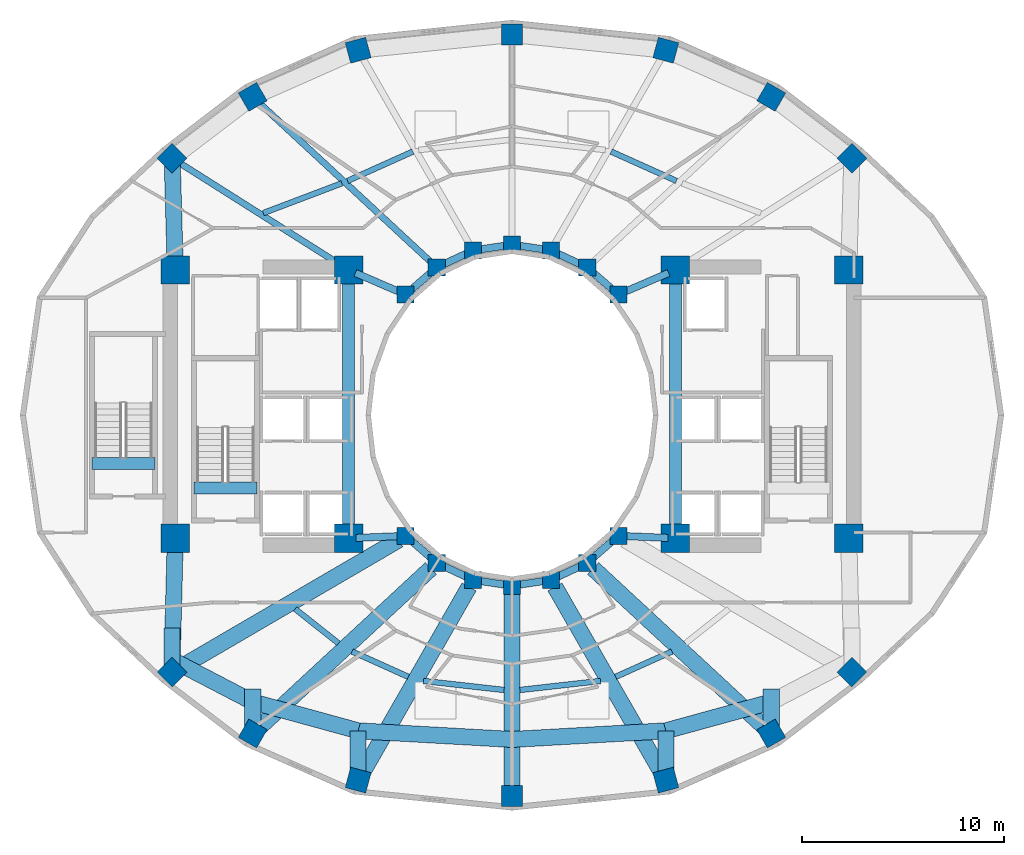
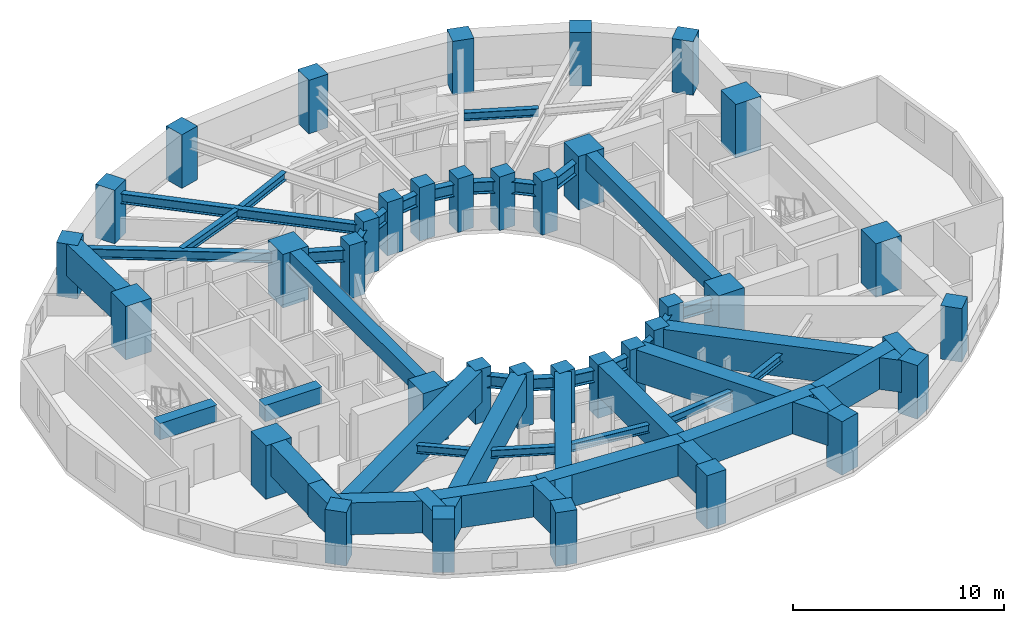
# One storey, part 1 of 9: 48 beams, 36 columns.
"""IFC4 building model written with IfcOpenShell, lengths in metres."""

import ifcopenshell
import ifcopenshell.guid

model = None  # the IFC model being written
_history = None  # IfcOwnerHistory: only IFC2X3 demands one
_inside = {}  # id of a spatial element -> (the spatial element, [elements in it])
_under = {}  # id of a project, library or spatial element -> (it, [spatial elements below it])
_declared = {}  # id of a project -> (the project, [libraries it declares])
_typed = {}  # id of a type object -> (the type object, [elements of that type])
_made_of = {}  # id of a material, layer set ... -> (it, [elements and type objects made of it])


def new_model(schema):
    """Start an empty IFC model of exactly this schema.

    Asked for "IFC4X3", IfcOpenShell would pick the latest addendum, in which some entities
    have other attributes; the version numbers below select the first issue.
    IFC2X3 requires an IfcOwnerHistory on every rooted entity: one is made here for all.
    """
    global model, _history
    if schema == "IFC4X3":
        model = ifcopenshell.file(schema_version=(4, 3, 0, 0))
    else:
        model = ifcopenshell.file(schema=schema)
    _inside.clear()
    _under.clear()
    _declared.clear()
    _typed.clear()
    _made_of.clear()
    _history = None
    if model.schema == "IFC2X3":
        org = make("IfcOrganization", Name="unknown")
        user = make(
            "IfcPersonAndOrganization",
            ThePerson=make("IfcPerson", FamilyName="unknown"),
            TheOrganization=org,
        )
        app = make(
            "IfcApplication",
            ApplicationDeveloper=org,
            Version="unknown",
            ApplicationFullName="unknown",
            ApplicationIdentifier="unknown",
        )
        _history = make(
            "IfcOwnerHistory",
            OwningUser=user,
            OwningApplication=app,
            ChangeAction="ADDED",
            CreationDate=0,
        )
    return model


def make(cls, **values):
    """One entity of the class cls with the attributes given. An attribute that is None is left unset."""
    return model.create_entity(
        cls, **{name: value for name, value in values.items() if value is not None}
    )


def rooted(cls, **values):
    """An entity with a GlobalId (a new one), such as an element, a storey or a relation."""
    return make(cls, GlobalId=ifcopenshell.guid.new(), OwnerHistory=_history, **values)


def si_unit(unit_type, name, prefix=None):
    """IfcSIUnit, for example si_unit("LENGTHUNIT", "METRE", prefix="MILLI")."""
    return make("IfcSIUnit", UnitType=unit_type, Prefix=prefix, Name=name)


def assignment(units):
    """IfcUnitAssignment: the units of a project."""
    return None if units is None else make("IfcUnitAssignment", Units=units)


def point(xyz):
    """IfcCartesianPoint."""
    return None if xyz is None else make("IfcCartesianPoint", Coordinates=xyz)


def direction(xyz):
    """IfcDirection."""
    return None if xyz is None else make("IfcDirection", DirectionRatios=xyz)


def frame(location, z_axis=None, x_axis=None):
    """IfcAxis2Placement3D, a coordinate frame: its origin and axes. An axis left out is left unset."""
    return make(
        "IfcAxis2Placement3D",
        Location=point(location),
        Axis=direction(z_axis),
        RefDirection=direction(x_axis),
    )


def frame_2d(location, x_axis=None):
    """IfcAxis2Placement2D, a coordinate frame in the plane: its origin and x axis."""
    return make(
        "IfcAxis2Placement2D", Location=point(location), RefDirection=direction(x_axis)
    )


def origin():
    """The frame at (0, 0, 0) with its axes left unset."""
    return frame((0.0, 0.0, 0.0))


def origin_2d():
    """The frame at (0, 0) in the plane with its x axis left unset."""
    return frame_2d((0.0, 0.0))


def place(relative_to, where):
    """IfcLocalPlacement: puts the frame where relative to a parent placement (None: the world)."""
    return make(
        "IfcLocalPlacement", PlacementRelTo=relative_to, RelativePlacement=where
    )


def context(
    kind, dimensions, precision=None, world=None, true_north=None, identifier=None
):
    """IfcGeometricRepresentationContext, for example the 3D "Model" context."""
    return make(
        "IfcGeometricRepresentationContext",
        ContextIdentifier=identifier,
        ContextType=kind,
        CoordinateSpaceDimension=dimensions,
        Precision=precision,
        WorldCoordinateSystem=world,
        TrueNorth=true_north,
    )


def subcontext(parent, identifier, kind, view, scale=None):
    """IfcGeometricRepresentationSubContext, for example "Body" below "Model"."""
    return make(
        "IfcGeometricRepresentationSubContext",
        ContextIdentifier=identifier,
        ContextType=kind,
        ParentContext=parent,
        TargetScale=scale,
        TargetView=view,
    )


def project(units=None, contexts=None):
    """IfcProject with its units and contexts."""
    return rooted(
        "IfcProject",
        Name="project",
        RepresentationContexts=contexts,
        UnitsInContext=assignment(units),
    )


def spatial(cls, under=None, at=None, **own):
    """A site, building, storey or space (cls), placed at a placement, below another one or the project."""
    s = rooted(cls, ObjectPlacement=at, **own)
    if under is not None:
        _under.setdefault(under.id(), (under, []))[1].append(s)
    return s


def profile(cls, at=None, kind="AREA", **sizes):
    """A parametric profile (cls). Its sizes go by their IFC names, for example OverallWidth=200.0."""
    return make(cls, ProfileType=kind, Position=at, **sizes)


def rectangle(**sizes):
    """IfcRectangleProfileDef."""
    return profile("IfcRectangleProfileDef", **sizes)


def i_section(**sizes):
    """IfcIShapeProfileDef."""
    return profile("IfcIShapeProfileDef", **sizes)


def extrude(swept, where, along, depth):
    """IfcExtrudedAreaSolid: the profile swept, set in the frame where, extruded along a direction by depth."""
    return make(
        "IfcExtrudedAreaSolid",
        SweptArea=swept,
        Position=where,
        ExtrudedDirection=direction(along),
        Depth=depth,
    )


def shape(context_of_items, identifier, shape_type, items):
    """IfcShapeRepresentation: the items that make up one representation, for example the "Body"."""
    return make(
        "IfcShapeRepresentation",
        ContextOfItems=context_of_items,
        RepresentationIdentifier=identifier,
        RepresentationType=shape_type,
        Items=items,
    )


def material(Name=None, Category=None):
    """IfcMaterial."""
    return make("IfcMaterial", Name=Name, Category=Category)


def material_profile(
    of_material, cross_section, Name=None, Category=None, Priority=None
):
    """IfcMaterialProfile: a cross section and its material."""
    return make(
        "IfcMaterialProfile",
        Name=Name,
        Material=of_material,
        Profile=cross_section,
        Priority=Priority,
        Category=Category,
    )


def profile_set(profiles, Name=None, composite=None):
    """IfcMaterialProfileSet."""
    return make(
        "IfcMaterialProfileSet",
        Name=Name,
        MaterialProfiles=profiles,
        CompositeProfile=composite,
    )


def made_of(thing, what):
    """Note that an element or type object is made of a material, layer set ...; save() writes the relation."""
    if what is not None:
        _made_of.setdefault(what.id(), (what, []))[1].append(thing)
    return thing


def type_object(cls, material=None, **own):
    """A type object (cls), such as IfcWallType, which elements share."""
    return made_of(rooted(cls, **own), material)


def element(
    cls,
    number,
    at=None,
    inside=None,
    cuts=None,
    type_object=None,
    material=None,
    context=None,
    identifier="Body",
    shape_type=None,
    held_by="IfcProductDefinitionShape",
    body=None,
    shapes=None,
    **own,
):
    """One element of the class cls, such as IfcWall. Its Tag is "e" and its number.

    at: its placement. inside: the storey or other place that contains it. cuts: it is an
    opening in that element (IfcRelVoidsElement). A single representation is given by context,
    identifier, shape_type and body (its items); several are given by shapes. held_by: the class
    of the entity that holds the representations. save() writes the other relations.
    """
    e = rooted(cls, Tag="e%d" % number, ObjectPlacement=at, **own)
    if body is not None:
        shapes = [shape(context, identifier, shape_type, body)]
    if shapes is not None:
        e.Representation = make(held_by, Representations=shapes)
    if inside is not None:
        _inside.setdefault(inside.id(), (inside, []))[1].append(e)
    if cuts is not None:
        rooted(
            "IfcRelVoidsElement", RelatingBuildingElement=cuts, RelatedOpeningElement=e
        )
    if type_object is not None:
        _typed.setdefault(type_object.id(), (type_object, []))[1].append(e)
    return made_of(e, material)


def aggregate(whole, parts):
    """IfcRelAggregates: a whole, such as a stair, and the parts it consists of."""
    return rooted("IfcRelAggregates", RelatingObject=whole, RelatedObjects=parts)


def save(model, path):
    """Write the relations noted so far, then the file.

    IfcRelAggregates (storeys below a building ...), IfcRelContainedInSpatialStructure (elements
    in a storey), IfcRelDefinesByType, IfcRelAssociatesMaterial and IfcRelDeclares: one each for
    every whole, place, type object, material and project.
    """
    for whole, parts in _under.values():
        aggregate(whole, parts)
    for where, things in _inside.values():
        rooted(
            "IfcRelContainedInSpatialStructure",
            RelatedElements=things,
            RelatingStructure=where,
        )
    for kind, things in _typed.values():
        rooted("IfcRelDefinesByType", RelatedObjects=things, RelatingType=kind)
    for what, things in _made_of.values():
        rooted("IfcRelAssociatesMaterial", RelatedObjects=things, RelatingMaterial=what)
    for by, libraries in _declared.values():
        rooted("IfcRelDeclares", RelatingContext=by, RelatedDefinitions=libraries)
    model.write(path)


model = new_model("IFC4")

# Units and contexts
model_context = context("Model", 3, precision=1e-05, world=origin(), true_north=direction((0.0, 1.0)))
body_context = subcontext(model_context, "Body", "Model", "MODEL_VIEW")
ifc_project = project(units=[si_unit("LENGTHUNIT", "METRE"), si_unit("AREAUNIT", "SQUARE_METRE"), si_unit("VOLUMEUNIT", "CUBIC_METRE"), si_unit("PLANEANGLEUNIT", "RADIAN"), si_unit("MASSUNIT", "GRAM", prefix="KILO")], contexts=[model_context])

# Site, building, storey
site_placement = place(None, origin())
site = spatial("IfcSite", under=ifc_project, at=site_placement, CompositionType="ELEMENT")
building_placement = place(site_placement, origin())
building = spatial("IfcBuilding", under=site, at=building_placement, Name="Solvane Sanctuary Tower", CompositionType="ELEMENT")
storey_placement = place(building_placement, frame((0.0, 0.0, 110.39990234375)))
storey = spatial("IfcBuildingStorey", under=building, at=storey_placement, Name="L33", CompositionType="ELEMENT", Elevation=110.39990234375)

# Columns
ifc_material_1 = material(Name="Concrete C70/85", Category="concrete")
ifc_material_profile_1 = material_profile(ifc_material_1, rectangle(XDim=1.39990234375, YDim=1.39990234375, at=origin_2d()), Name="RC1400X1400")
ifc_profile_set_1 = profile_set([ifc_material_profile_1], Name="Concrete C70/85")
column_type_1 = type_object("IfcColumnType", Name="Column C-POD-INT RC1400X1400", PredefinedType="COLUMN", material=ifc_profile_set_1)
for number, where, z_axis, x_axis, name in (
    (1, (15.300048828125, 16.89990234375, 0.0), (0.0, 0.0, 1.0), (1.0, 0.0, 0.0), "L33 Core Corner Column CW1"),
    (2, (23.89990234375, 16.89990234375, 0.0), (0.0, 0.0, 1.0), (1.0, 0.0, 0.0), "L33 Core Corner Column CW2"),
    (3, (23.89990234375, 30.199951171875, 0.0), (0.0, 0.0, 1.0), (1.0, 0.0, 0.0), "L33 Core Corner Column CW3"),
    (4, (15.300048828125, 30.199951171875, 0.0), (0.0, 0.0, 1.0), (1.0, 0.0, 0.0), "L33 Core Corner Column CW4"),
    (5, (40.10009765625, 16.89990234375, 0.0), (0.0, 0.0, 1.0), (1.0, 0.0, 0.0), "L33 Core Corner Column CE1"),
    (6, (48.699951171875, 16.89990234375, 0.0), (0.0, 0.0, 1.0), (1.0, 0.0, 0.0), "L33 Core Corner Column CE2"),
    (7, (48.699951171875, 30.199951171875, 0.0), (0.0, 0.0, 1.0), (1.0, 0.0, 0.0), "L33 Core Corner Column CE3"),
    (8, (40.10009765625, 30.199951171875, 0.0), (0.0, 0.0, 1.0), (1.0, 0.0, 0.0), "L33 Core Corner Column CE4"),
):
    element("IfcColumn", number, at=place(storey_placement, frame(where, z_axis=z_axis, x_axis=x_axis)), inside=storey, type_object=column_type_1, Name=name, PredefinedType="COLUMN", context=body_context, shape_type="SweptSolid", body=[
        extrude(rectangle(XDim=1.39990234375, YDim=1.39990234375, at=origin_2d()), origin(), (0.0, 0.0, 1.0), 3.10009765625),
    ])
ifc_material_2 = material(Name="Concrete C60/75", Category="concrete")
ifc_material_profile_2 = material_profile(ifc_material_2, rectangle(XDim=0.85009765625, YDim=0.85009765625, at=origin_2d()), Name="RC850X850")
ifc_profile_set_2 = profile_set([ifc_material_profile_2], Name="Concrete C60/75")
column_type_2 = type_object("IfcColumnType", Name="Column C-RING-Z2 RC850X850", PredefinedType="COLUMN", material=ifc_profile_set_2)
for number, where, z_axis, x_axis, name in (
    (9, (37.27490234375, 28.982177734375, 0.0), (0.0, 0.0, 1.0), (1.0, 0.0, 0.0), "L33 Inner Light-Well Ring Column IC01"),
    (10, (35.72998046875, 30.32666015625, 0.0), (0.0, 0.0, 1.0), (1.0, 0.0, 0.0), "L33 Inner Light-Well Ring Column IC02"),
    (11, (33.930908203125, 31.171630859375, 0.0), (0.0, 0.0, 1.0), (1.0, 0.0, 0.0), "L33 Inner Light-Well Ring Column IC03"),
    (12, (32.0, 31.4599609375, 0.0), (0.0, 0.0, 1.0), (1.0, 0.0, 0.0), "L33 Inner Light-Well Ring Column IC04"),
    (13, (30.069091796875, 31.171630859375, 0.0), (0.0, 0.0, 1.0), (1.0, 0.0, 0.0), "L33 Inner Light-Well Ring Column IC05"),
    (14, (28.27001953125, 30.32666015625, 0.0), (0.0, 0.0, 1.0), (1.0, 0.0, 0.0), "L33 Inner Light-Well Ring Column IC06"),
    (15, (26.72509765625, 28.982177734375, 0.0), (0.0, 0.0, 1.0), (1.0, 0.0, 0.0), "L33 Inner Light-Well Ring Column IC07"),
    (16, (26.72509765625, 17.017822265625, 0.0), (0.0, 0.0, 1.0), (1.0, 0.0, 0.0), "L33 Inner Light-Well Ring Column IC08"),
    (17, (28.27001953125, 15.67333984375, 0.0), (0.0, 0.0, 1.0), (1.0, 0.0, 0.0), "L33 Inner Light-Well Ring Column IC09"),
    (18, (30.069091796875, 14.828369140625, 0.0), (0.0, 0.0, 1.0), (1.0, 0.0, 0.0), "L33 Inner Light-Well Ring Column IC10"),
    (19, (32.0, 14.5400390625, 0.0), (0.0, 0.0, 1.0), (1.0, 0.0, 0.0), "L33 Inner Light-Well Ring Column IC11"),
    (20, (33.930908203125, 14.828369140625, 0.0), (0.0, 0.0, 1.0), (1.0, 0.0, 0.0), "L33 Inner Light-Well Ring Column IC12"),
    (21, (35.72998046875, 15.67333984375, 0.0), (0.0, 0.0, 1.0), (1.0, 0.0, 0.0), "L33 Inner Light-Well Ring Column IC13"),
    (22, (37.27490234375, 17.017822265625, 0.0), (0.0, 0.0, 1.0), (1.0, 0.0, 0.0), "L33 Inner Light-Well Ring Column IC14"),
):
    element("IfcColumn", number, at=place(storey_placement, frame(where, z_axis=z_axis, x_axis=x_axis)), inside=storey, type_object=column_type_2, Name=name, PredefinedType="COLUMN", context=body_context, shape_type="SweptSolid", body=[
        extrude(rectangle(XDim=0.85009765625, YDim=0.85009765625, at=origin_2d()), origin(), (0.0, 0.0, 1.0), 3.10009765625),
    ])
ifc_material_profile_3 = material_profile(ifc_material_2, rectangle(XDim=1.050048828125, YDim=1.050048828125, at=origin_2d()), Name="RC1050X1050")
ifc_profile_set_3 = profile_set([ifc_material_profile_3], Name="Concrete C60/75")
column_type_3 = type_object("IfcColumnType", Name="Column C-TUBE-Z2 RC1050X1050", PredefinedType="COLUMN", material=ifc_profile_set_3)
for number, where, z_axis, x_axis, name in (
    (23, (48.85302734375, 35.742919921875, 0.0), (0.0, 0.0, 1.0), (0.707106781187, 0.707106781187, 0.0), "L33 Perimeter Tube Column TC01"),
    (24, (44.8583984375, 38.7861328125, 0.0), (0.0, 0.0, 1.0), (0.5, 0.866025403784, 0.0), "L33 Perimeter Tube Column TC02"),
    (25, (39.62939453125, 41.10009765625, 0.0), (0.0, 0.0, 1.0), (0.258819045103, 0.965925826289, 0.0), "L33 Perimeter Tube Column TC03"),
    (26, (32.0, 41.8798828125, 0.0), (0.0, 0.0, 1.0), (0.0, 1.0, 0.0), "L33 Perimeter Tube Column TC04"),
    (27, (24.37060546875, 41.10009765625, 0.0), (0.0, 0.0, 1.0), (-0.258819045103, 0.965925826289, 0.0), "L33 Perimeter Tube Column TC05"),
    (28, (19.1416015625, 38.7861328125, 0.0), (0.0, 0.0, 1.0), (-0.5, 0.866025403784, 0.0), "L33 Perimeter Tube Column TC06"),
    (29, (15.14697265625, 35.742919921875, 0.0), (0.0, 0.0, 1.0), (-0.707106781187, 0.707106781187, 0.0), "L33 Perimeter Tube Column TC07"),
    (30, (15.14697265625, 10.257080078125, 0.0), (0.0, 0.0, 1.0), (-0.707106781187, -0.707106781187, 0.0), "L33 Perimeter Tube Column TC08"),
    (31, (19.1416015625, 7.2138671875, 0.0), (0.0, 0.0, 1.0), (-0.5, -0.866025403784, 0.0), "L33 Perimeter Tube Column TC09"),
    (32, (24.37060546875, 4.89990234375, 0.0), (0.0, 0.0, 1.0), (-0.258819045103, -0.965925826289, 0.0), "L33 Perimeter Tube Column TC10"),
    (33, (32.0, 4.1201171875, 0.0), (0.0, 0.0, 1.0), (0.0, -1.0, 0.0), "L33 Perimeter Tube Column TC11"),
    (34, (39.62939453125, 4.89990234375, 0.0), (0.0, 0.0, 1.0), (0.258819045103, -0.965925826289, 0.0), "L33 Perimeter Tube Column TC12"),
    (35, (44.8583984375, 7.2138671875, 0.0), (0.0, 0.0, 1.0), (0.5, -0.866025403784, 0.0), "L33 Perimeter Tube Column TC13"),
    (36, (48.85302734375, 10.257080078125, 0.0), (0.0, 0.0, 1.0), (0.707106781187, -0.707106781187, 0.0), "L33 Perimeter Tube Column TC14"),
):
    element("IfcColumn", number, at=place(storey_placement, frame(where, z_axis=z_axis, x_axis=x_axis)), inside=storey, type_object=column_type_3, Name=name, PredefinedType="COLUMN", context=body_context, shape_type="SweptSolid", body=[
        extrude(rectangle(XDim=1.050048828125, YDim=1.050048828125, at=origin_2d()), origin(), (0.0, 0.0, 1.0), 3.10009765625),
    ])

# Beams
ifc_material_profile_4 = material_profile(ifc_material_1, rectangle(XDim=0.60009765625, YDim=0.949951171875, at=origin_2d()), Name="RC600X950")
ifc_profile_set_4 = profile_set([ifc_material_profile_4], Name="Concrete C70/85")
beam_type_1 = type_object("IfcBeamType", Name="Beam B-COUPLE RC600X950", PredefinedType="LINTEL", material=ifc_profile_set_4)
for number, where, z_axis, x_axis, name in (
    (37, (23.89990234375, 17.35009765625, 2.625), (0.0, 1.0, 0.0), (-1.0, 0.0, 0.0), "L33 West Core Coupling Lintel"),
    (38, (40.10009765625, 17.35009765625, 2.625), (0.0, 1.0, 0.0), (-1.0, 0.0, 0.0), "L33 East Core Coupling Lintel"),
):
    element("IfcBeam", number, at=place(storey_placement, frame(where, z_axis=z_axis, x_axis=x_axis)), inside=storey, type_object=beam_type_1, Name=name, PredefinedType="LINTEL", context=body_context, shape_type="SweptSolid", body=[
        extrude(rectangle(XDim=0.60009765625, YDim=0.949951171875, at=origin_2d()), origin(), (0.0, 0.0, 1.0), 12.39990234375),
    ])
for number, where, z_axis, x_axis, name in (
    (39, (16.22998046875, 19.399169921875, 2.625), (1.0, 0.0, 0.0), (0.0, 1.0, 0.0), "L33 ST-1 Stair Floor Landing Trimmer"),
    (40, (11.169921875, 20.59912109375, 2.625), (1.0, 0.0, 0.0), (0.0, 1.0, 0.0), "L33 ST-3 Stair Floor Landing Trimmer"),
):
    element("IfcBeam", number, at=place(storey_placement, frame(where, z_axis=z_axis, x_axis=x_axis)), inside=storey, type_object=beam_type_1, Name=name, PredefinedType="LINTEL", context=body_context, shape_type="SweptSolid", body=[
        extrude(rectangle(XDim=0.60009765625, YDim=0.949951171875, at=origin_2d()), origin(), (0.0, 0.0, 1.0), 3.1201171875),
    ])
ifc_material_3 = material(Name="Steel ASTM A992 Grade 50", Category="steel")
ifc_material_profile_5 = material_profile(ifc_material_3, i_section(OverallWidth=0.31494140625, OverallDepth=0.575927734375, WebThickness=0.01513671875, FlangeThickness=0.0244140625, FilletRadius=0.014892578125, at=origin_2d()), Name="W21X122")
ifc_profile_set_5 = profile_set([ifc_material_profile_5], Name="Steel ASTM A992 Grade 50")
beam_type_2 = type_object("IfcBeamType", Name="Beam B-RAD-Z2 W21X122", PredefinedType="BEAM", material=ifc_profile_set_5)
beam_1_placement = place(storey_placement, frame((28.064697265625, 30.516845703125, 2.31005859375), z_axis=(-0.733453775248, 0.679739332078, 0.0), x_axis=(-0.679739332078, -0.733453775248, 0.0)))
element("IfcBeam", 41, at=beam_1_placement, inside=storey, type_object=beam_type_2, Name="L33 Radial Composite Floor Beam 06", PredefinedType="BEAM", context=body_context, shape_type="SweptSolid", body=[
    extrude(i_section(OverallWidth=0.31494140625, OverallDepth=0.575927734375, WebThickness=0.01513671875, FlangeThickness=0.0244140625, FilletRadius=0.014892578125, at=origin_2d()), origin(), (0.0, 0.0, 1.0), 11.885498046875),
])
beam_2_placement = place(storey_placement, frame((23.595947265625, 30.392578125, 2.31005859375), z_axis=(-0.844853889678, 0.534997107558, 0.0), x_axis=(-0.534997107558, -0.844853889678, 0.0)))
element("IfcBeam", 42, at=beam_2_placement, inside=storey, type_object=beam_type_2, Name="L33 Radial Composite Floor Beam 07", PredefinedType="BEAM", context=body_context, shape_type="SweptSolid", body=[
    extrude(i_section(OverallWidth=0.31494140625, OverallDepth=0.575927734375, WebThickness=0.01513671875, FlangeThickness=0.0244140625, FilletRadius=0.014892578125, at=origin_2d()), origin(), (0.0, 0.0, 1.0), 9.720458984375),
])
ifc_material_profile_6 = material_profile(ifc_material_3, i_section(OverallWidth=0.35498046875, OverallDepth=0.695068359375, WebThickness=0.015380859375, FlangeThickness=0.02490234375, FilletRadius=0.01806640625, at=origin_2d()), Name="W27X146")
ifc_profile_set_6 = profile_set([ifc_material_profile_6], Name="Steel ASTM A992 Grade 50")
beam_type_3 = type_object("IfcBeamType", Name="Beam B-RING-IN1 W27X146", PredefinedType="BEAM", material=ifc_profile_set_6)
beam_3_placement = place(storey_placement, frame((24.230712890625, 30.0576171875, 2.25048828125), z_axis=(0.918261456479, -0.3959746173, 0.0), x_axis=(0.3959746173, 0.918261456479, 0.0)))
element("IfcBeam", 43, at=beam_3_placement, inside=storey, type_object=beam_type_3, Name="L33 Inner Light-Well Ring Beam CW3-IC07", PredefinedType="BEAM", context=body_context, shape_type="SweptSolid", body=[
    extrude(i_section(OverallWidth=0.35498046875, OverallDepth=0.695068359375, WebThickness=0.015380859375, FlangeThickness=0.02490234375, FilletRadius=0.01806640625, at=origin_2d()), origin(), (0.0, 0.0, 1.0), 2.3212890625),
])
beam_4_placement = place(storey_placement, frame((27.02294921875, 29.241455078125, 2.25048828125), z_axis=(0.754317177099, 0.656510164684, 0.0), x_axis=(-0.656510164684, 0.754317177099, 0.0)))
element("IfcBeam", 44, at=beam_4_placement, inside=storey, type_object=beam_type_3, Name="L33 Inner Light-Well Ring Beam IC07-IC06", PredefinedType="BEAM", context=body_context, shape_type="SweptSolid", body=[
    extrude(i_section(OverallWidth=0.35498046875, OverallDepth=0.695068359375, WebThickness=0.015380859375, FlangeThickness=0.02490234375, FilletRadius=0.01806640625, at=origin_2d()), origin(), (0.0, 0.0, 1.0), 1.258056640625),
])
beam_5_placement = place(storey_placement, frame((28.62744140625, 30.494384765625, 2.25048828125), z_axis=(0.905044882818, 0.425316070804, 0.0), x_axis=(-0.425316070804, 0.905044882818, 0.0)))
element("IfcBeam", 45, at=beam_5_placement, inside=storey, type_object=beam_type_3, Name="L33 Inner Light-Well Ring Beam IC06-IC05", PredefinedType="BEAM", context=body_context, shape_type="SweptSolid", body=[
    extrude(i_section(OverallWidth=0.35498046875, OverallDepth=0.695068359375, WebThickness=0.015380859375, FlangeThickness=0.02490234375, FilletRadius=0.01806640625, at=origin_2d()), origin(), (0.0, 0.0, 1.0), 1.197998046875),
])
for number, where, z_axis, x_axis, name in (
    (46, (30.4599609375, 31.22998046875, 2.25048828125), (0.989034751611, 0.147682971619, 0.0), (-0.147682971619, 0.989034751611, 0.0), "L33 Inner Light-Well Ring Beam IC05-IC04"),
    (47, (32.390625, 31.401611328125, 2.25048828125), (0.989034751611, -0.147682971619, 0.0), (0.147682971619, 0.989034751611, 0.0), "L33 Inner Light-Well Ring Beam IC04-IC03"),
):
    element("IfcBeam", number, at=place(storey_placement, frame(where, z_axis=z_axis, x_axis=x_axis)), inside=storey, type_object=beam_type_3, Name=name, PredefinedType="BEAM", context=body_context, shape_type="SweptSolid", body=[
        extrude(i_section(OverallWidth=0.35498046875, OverallDepth=0.695068359375, WebThickness=0.015380859375, FlangeThickness=0.02490234375, FilletRadius=0.01806640625, at=origin_2d()), origin(), (0.0, 0.0, 1.0), 1.162109375),
    ])
beam_6_placement = place(storey_placement, frame((34.288330078125, 31.00390625, 2.25048828125), z_axis=(0.905044882818, -0.425316070804, 0.0), x_axis=(0.425316070804, 0.905044882818, 0.0)))
element("IfcBeam", 48, at=beam_6_placement, inside=storey, type_object=beam_type_3, Name="L33 Inner Light-Well Ring Beam IC03-IC02", PredefinedType="BEAM", context=body_context, shape_type="SweptSolid", body=[
    extrude(i_section(OverallWidth=0.35498046875, OverallDepth=0.695068359375, WebThickness=0.015380859375, FlangeThickness=0.02490234375, FilletRadius=0.01806640625, at=origin_2d()), origin(), (0.0, 0.0, 1.0), 1.197998046875),
])
beam_7_placement = place(storey_placement, frame((36.028076171875, 30.0673828125, 2.25048828125), z_axis=(0.754317177099, -0.656510164684, 0.0), x_axis=(0.656510164684, 0.754317177099, 0.0)))
element("IfcBeam", 49, at=beam_7_placement, inside=storey, type_object=beam_type_3, Name="L33 Inner Light-Well Ring Beam IC02-IC01", PredefinedType="BEAM", context=body_context, shape_type="SweptSolid", body=[
    extrude(i_section(OverallWidth=0.35498046875, OverallDepth=0.695068359375, WebThickness=0.015380859375, FlangeThickness=0.02490234375, FilletRadius=0.01806640625, at=origin_2d()), origin(), (0.0, 0.0, 1.0), 1.258056640625),
])
beam_8_placement = place(storey_placement, frame((37.6376953125, 29.138427734375, 2.25048828125), z_axis=(0.918261456479, 0.3959746173, 0.0), x_axis=(-0.3959746173, 0.918261456479, 0.0)))
element("IfcBeam", 50, at=beam_8_placement, inside=storey, type_object=beam_type_3, Name="L33 Inner Light-Well Ring Beam IC01-CE4", PredefinedType="BEAM", context=body_context, shape_type="SweptSolid", body=[
    extrude(i_section(OverallWidth=0.35498046875, OverallDepth=0.695068359375, WebThickness=0.015380859375, FlangeThickness=0.02490234375, FilletRadius=0.01806640625, at=origin_2d()), origin(), (0.0, 0.0, 1.0), 2.3212890625),
])
beam_9_placement = place(storey_placement, frame((24.259765625, 16.9150390625, 2.25048828125), z_axis=(0.999130007788, 0.041704047018, 0.0), x_axis=(-0.041704047018, 0.999130007788, 0.0)))
element("IfcBeam", 51, at=beam_9_placement, inside=storey, type_object=beam_type_3, Name="L33 Inner Light-Well Ring Beam CW2-IC08", PredefinedType="BEAM", context=body_context, shape_type="SweptSolid", body=[
    extrude(i_section(OverallWidth=0.35498046875, OverallDepth=0.695068359375, WebThickness=0.015380859375, FlangeThickness=0.02490234375, FilletRadius=0.01806640625, at=origin_2d()), origin(), (0.0, 0.0, 1.0), 2.072265625),
])
beam_10_placement = place(storey_placement, frame((27.02294921875, 16.758544921875, 2.25048828125), z_axis=(0.754317177099, -0.656510164684, 0.0), x_axis=(0.656510164684, 0.754317177099, 0.0)))
element("IfcBeam", 52, at=beam_10_placement, inside=storey, type_object=beam_type_3, Name="L33 Inner Light-Well Ring Beam IC08-IC09", PredefinedType="BEAM", context=body_context, shape_type="SweptSolid", body=[
    extrude(i_section(OverallWidth=0.35498046875, OverallDepth=0.695068359375, WebThickness=0.015380859375, FlangeThickness=0.02490234375, FilletRadius=0.01806640625, at=origin_2d()), origin(), (0.0, 0.0, 1.0), 1.258056640625),
])
beam_11_placement = place(storey_placement, frame((28.62744140625, 15.505615234375, 2.25048828125), z_axis=(0.905044882818, -0.425316070804, 0.0), x_axis=(0.425316070804, 0.905044882818, 0.0)))
element("IfcBeam", 53, at=beam_11_placement, inside=storey, type_object=beam_type_3, Name="L33 Inner Light-Well Ring Beam IC09-IC10", PredefinedType="BEAM", context=body_context, shape_type="SweptSolid", body=[
    extrude(i_section(OverallWidth=0.35498046875, OverallDepth=0.695068359375, WebThickness=0.015380859375, FlangeThickness=0.02490234375, FilletRadius=0.01806640625, at=origin_2d()), origin(), (0.0, 0.0, 1.0), 1.197998046875),
])
for number, where, z_axis, x_axis, name in (
    (54, (30.4599609375, 14.77001953125, 2.25048828125), (0.989034751611, -0.147682971619, 0.0), (0.147682971619, 0.989034751611, 0.0), "L33 Inner Light-Well Ring Beam IC10-IC11"),
    (55, (32.390625, 14.598388671875, 2.25048828125), (0.989034751611, 0.147682971619, 0.0), (-0.147682971619, 0.989034751611, 0.0), "L33 Inner Light-Well Ring Beam IC11-IC12"),
):
    element("IfcBeam", number, at=place(storey_placement, frame(where, z_axis=z_axis, x_axis=x_axis)), inside=storey, type_object=beam_type_3, Name=name, PredefinedType="BEAM", context=body_context, shape_type="SweptSolid", body=[
        extrude(i_section(OverallWidth=0.35498046875, OverallDepth=0.695068359375, WebThickness=0.015380859375, FlangeThickness=0.02490234375, FilletRadius=0.01806640625, at=origin_2d()), origin(), (0.0, 0.0, 1.0), 1.162109375),
    ])
beam_12_placement = place(storey_placement, frame((34.288330078125, 14.99609375, 2.25048828125), z_axis=(0.905044882818, 0.425316070804, 0.0), x_axis=(-0.425316070804, 0.905044882818, 0.0)))
element("IfcBeam", 56, at=beam_12_placement, inside=storey, type_object=beam_type_3, Name="L33 Inner Light-Well Ring Beam IC12-IC13", PredefinedType="BEAM", context=body_context, shape_type="SweptSolid", body=[
    extrude(i_section(OverallWidth=0.35498046875, OverallDepth=0.695068359375, WebThickness=0.015380859375, FlangeThickness=0.02490234375, FilletRadius=0.01806640625, at=origin_2d()), origin(), (0.0, 0.0, 1.0), 1.197998046875),
])
beam_13_placement = place(storey_placement, frame((36.028076171875, 15.9326171875, 2.25048828125), z_axis=(0.754317177099, 0.656510164684, 0.0), x_axis=(-0.656510164684, 0.754317177099, 0.0)))
element("IfcBeam", 57, at=beam_13_placement, inside=storey, type_object=beam_type_3, Name="L33 Inner Light-Well Ring Beam IC13-IC14", PredefinedType="BEAM", context=body_context, shape_type="SweptSolid", body=[
    extrude(i_section(OverallWidth=0.35498046875, OverallDepth=0.695068359375, WebThickness=0.015380859375, FlangeThickness=0.02490234375, FilletRadius=0.01806640625, at=origin_2d()), origin(), (0.0, 0.0, 1.0), 1.258056640625),
])
beam_14_placement = place(storey_placement, frame((37.669677734375, 17.00146484375, 2.25048828125), z_axis=(0.999130007788, -0.041704047018, 0.0), x_axis=(0.041704047018, 0.999130007788, 0.0)))
element("IfcBeam", 58, at=beam_14_placement, inside=storey, type_object=beam_type_3, Name="L33 Inner Light-Well Ring Beam IC14-CE1", PredefinedType="BEAM", context=body_context, shape_type="SweptSolid", body=[
    extrude(i_section(OverallWidth=0.35498046875, OverallDepth=0.695068359375, WebThickness=0.015380859375, FlangeThickness=0.02490234375, FilletRadius=0.01806640625, at=origin_2d()), origin(), (0.0, 0.0, 1.0), 2.072265625),
])
ifc_material_profile_7 = material_profile(ifc_material_3, i_section(OverallWidth=0.280029296875, OverallDepth=0.462890625, WebThickness=0.0107421875, FlangeThickness=0.017333984375, FilletRadius=0.013916015625, at=origin_2d()), Name="W18X76")
ifc_profile_set_7 = profile_set([ifc_material_profile_7], Name="Steel ASTM A992 Grade 50")
beam_type_4 = type_object("IfcBeamType", Name="Beam B-SEC-JOIST W18X76", PredefinedType="JOIST", material=ifc_profile_set_7)
beam_15_placement = place(storey_placement, frame((19.666015625, 33.025390625, 2.36669921875), z_axis=(0.93509327646, 0.354401699091, 0.0), x_axis=(-0.354401699091, 0.93509327646, 0.0)))
element("IfcBeam", 59, at=beam_15_placement, inside=storey, type_object=beam_type_4, Name="L33 Secondary Circumferential Joist 07-06", PredefinedType="JOIST", context=body_context, shape_type="SweptSolid", body=[
    extrude(i_section(OverallWidth=0.280029296875, OverallDepth=0.462890625, WebThickness=0.0107421875, FlangeThickness=0.017333984375, FilletRadius=0.013916015625, at=origin_2d()), origin(), (0.0, 0.0, 1.0), 4.167724609375),
])
for number, where, z_axis, x_axis, name in (
    (60, (23.844970703125, 34.618896484375, 2.36669921875), (0.912083673068, 0.410004113787, 0.0), (-0.410004113787, 0.912083673068, 0.0), "L33 Secondary Circumferential Joist 06-05"),
    (61, (36.919189453125, 36.073486328125, 2.36669921875), (0.912083673068, -0.410004113787, 0.0), (0.410004113787, 0.912083673068, 0.0), "L33 Secondary Circumferential Joist 03-02"),
):
    element("IfcBeam", number, at=place(storey_placement, frame(where, z_axis=z_axis, x_axis=x_axis)), inside=storey, type_object=beam_type_4, Name=name, PredefinedType="JOIST", context=body_context, shape_type="SweptSolid", body=[
        extrude(i_section(OverallWidth=0.280029296875, OverallDepth=0.462890625, WebThickness=0.0107421875, FlangeThickness=0.017333984375, FilletRadius=0.013916015625, at=origin_2d()), origin(), (0.0, 0.0, 1.0), 3.5478515625),
    ])
beam_16_placement = place(storey_placement, frame((21.24560546875, 13.392333984375, 2.36669921875), z_axis=(0.783906859924, -0.620878438153, 0.0), x_axis=(0.620878438153, 0.783906859924, 0.0)))
element("IfcBeam", 62, at=beam_16_placement, inside=storey, type_object=beam_type_4, Name="L33 Secondary Circumferential Joist 08-09", PredefinedType="JOIST", context=body_context, shape_type="SweptSolid", body=[
    extrude(i_section(OverallWidth=0.280029296875, OverallDepth=0.462890625, WebThickness=0.0107421875, FlangeThickness=0.017333984375, FilletRadius=0.013916015625, at=origin_2d()), origin(), (0.0, 0.0, 1.0), 2.743408203125),
])
beam_17_placement = place(storey_placement, frame((24.066162109375, 11.28173828125, 2.36669921875), z_axis=(0.912097423757, -0.409973523019, 0.0), x_axis=(0.409973523019, 0.912097423757, 0.0)))
element("IfcBeam", 63, at=beam_17_placement, inside=storey, type_object=beam_type_4, Name="L33 Secondary Circumferential Joist 09-10", PredefinedType="JOIST", context=body_context, shape_type="SweptSolid", body=[
    extrude(i_section(OverallWidth=0.280029296875, OverallDepth=0.462890625, WebThickness=0.0107421875, FlangeThickness=0.017333984375, FilletRadius=0.013916015625, at=origin_2d()), origin(), (0.0, 0.0, 1.0), 3.062744140625),
])
for number, where, z_axis, x_axis, name in (
    (64, (27.612548828125, 9.8203125, 2.36669921875), (0.993810933944, -0.111084776519, 0.0), (0.111084776519, 0.993810933944, 0.0), "L33 Secondary Circumferential Joist 10-11"),
    (65, (32.392578125, 9.373779296875, 2.36669921875), (0.993810933944, 0.111084776519, 0.0), (-0.111084776519, 0.993810933944, 0.0), "L33 Secondary Circumferential Joist 11-12"),
):
    element("IfcBeam", number, at=place(storey_placement, frame(where, z_axis=z_axis, x_axis=x_axis)), inside=storey, type_object=beam_type_4, Name=name, PredefinedType="JOIST", context=body_context, shape_type="SweptSolid", body=[
        extrude(i_section(OverallWidth=0.280029296875, OverallDepth=0.462890625, WebThickness=0.0107421875, FlangeThickness=0.017333984375, FilletRadius=0.013916015625, at=origin_2d()), origin(), (0.0, 0.0, 1.0), 4.019775390625),
    ])
beam_18_placement = place(storey_placement, frame((37.140380859375, 10.026123046875, 2.36669921875), z_axis=(0.912097423757, 0.409973523019, 0.0), x_axis=(-0.409973523019, 0.912097423757, 0.0)))
element("IfcBeam", 66, at=beam_18_placement, inside=storey, type_object=beam_type_4, Name="L33 Secondary Circumferential Joist 12-13", PredefinedType="JOIST", context=body_context, shape_type="SweptSolid", body=[
    extrude(i_section(OverallWidth=0.280029296875, OverallDepth=0.462890625, WebThickness=0.0107421875, FlangeThickness=0.017333984375, FilletRadius=0.013916015625, at=origin_2d()), origin(), (0.0, 0.0, 1.0), 3.062744140625),
])
ifc_material_profile_8 = material_profile(ifc_material_1, rectangle(XDim=0.800048828125, YDim=1.85009765625, at=origin_2d()), Name="RC800X1850")
ifc_profile_set_8 = profile_set([ifc_material_profile_8], Name="Concrete C70/85")
beam_type_5 = type_object("IfcBeamType", Name="Beam B-XFER-BLK RC800X1850", PredefinedType="BEAM", material=ifc_profile_set_8)
beam_19_placement = place(storey_placement, frame((26.3837890625, 16.818603515625, 2.175048828125), z_axis=(-0.863561803877, -0.504243007771, 0.0), x_axis=(0.504243007771, -0.863561803877, 0.0)))
element("IfcBeam", 67, at=beam_19_placement, inside=storey, type_object=beam_type_5, Name="L33 Block-Shift Radial Transfer Girder 08A", PredefinedType="BEAM", context=body_context, shape_type="SweptSolid", body=[
    extrude(rectangle(XDim=0.800048828125, YDim=1.85009765625, at=origin_2d()), origin(), (0.0, 0.0, 1.0), 12.567138671875),
])
beam_20_placement = place(storey_placement, frame((15.14697265625, 10.30712890625, 2.175048828125), z_axis=(0.0, 1.0, 0.0), x_axis=(-1.0, 0.0, 0.0)))
element("IfcBeam", 68, at=beam_20_placement, inside=storey, type_object=beam_type_5, Name="L33 Block-Shift Transfer Tie 08B", PredefinedType="BEAM", context=body_context, shape_type="SweptSolid", body=[
    extrude(rectangle(XDim=0.800048828125, YDim=1.85009765625, at=origin_2d()), origin(), (0.0, 0.0, 1.0), 2.150146484375),
])
beam_21_placement = place(storey_placement, frame((27.980224609375, 15.40478515625, 2.175048828125), z_axis=(-0.733470457191, -0.679721331449, 0.0), x_axis=(0.679721331449, -0.733470457191, 0.0)))
element("IfcBeam", 69, at=beam_21_placement, inside=storey, type_object=beam_type_5, Name="L33 Block-Shift Radial Transfer Girder 09A", PredefinedType="BEAM", context=body_context, shape_type="SweptSolid", body=[
    extrude(rectangle(XDim=0.800048828125, YDim=1.85009765625, at=origin_2d()), origin(), (0.0, 0.0, 1.0), 11.60546875),
])
beam_22_placement = place(storey_placement, frame((19.1416015625, 7.263916015625, 2.175048828125), z_axis=(0.0, 1.0, 0.0), x_axis=(-1.0, 0.0, 0.0)))
element("IfcBeam", 70, at=beam_22_placement, inside=storey, type_object=beam_type_5, Name="L33 Block-Shift Transfer Tie 09B", PredefinedType="BEAM", context=body_context, shape_type="SweptSolid", body=[
    extrude(rectangle(XDim=0.800048828125, YDim=1.85009765625, at=origin_2d()), origin(), (0.0, 0.0, 1.0), 2.14990234375),
])
beam_23_placement = place(storey_placement, frame((29.87255859375, 14.485595703125, 2.175048828125), z_axis=(-0.497811096762, -0.867285484682, 0.0), x_axis=(0.867285484682, -0.497811096762, 0.0)))
element("IfcBeam", 71, at=beam_23_placement, inside=storey, type_object=beam_type_5, Name="L33 Block-Shift Radial Transfer Girder 10A", PredefinedType="BEAM", context=body_context, shape_type="SweptSolid", body=[
    extrude(rectangle(XDim=0.800048828125, YDim=1.85009765625, at=origin_2d()), origin(), (0.0, 0.0, 1.0), 10.607421875),
])
beam_24_placement = place(storey_placement, frame((24.37060546875, 4.949951171875, 2.175048828125), z_axis=(0.0, 1.0, 0.0), x_axis=(-1.0, 0.0, 0.0)))
element("IfcBeam", 72, at=beam_24_placement, inside=storey, type_object=beam_type_5, Name="L33 Block-Shift Transfer Tie 10B", PredefinedType="BEAM", context=body_context, shape_type="SweptSolid", body=[
    extrude(rectangle(XDim=0.800048828125, YDim=1.85009765625, at=origin_2d()), origin(), (0.0, 0.0, 1.0), 2.39794921875),
])
beam_25_placement = place(storey_placement, frame((32.0, 14.14501953125, 2.175048828125), z_axis=(0.0, -1.0, 0.0), x_axis=(1.0, 0.0, 0.0)))
element("IfcBeam", 73, at=beam_25_placement, inside=storey, type_object=beam_type_5, Name="L33 Block-Shift Radial Transfer Girder 11A", PredefinedType="BEAM", context=body_context, shape_type="SweptSolid", body=[
    extrude(rectangle(XDim=0.800048828125, YDim=1.85009765625, at=origin_2d()), origin(), (0.0, 0.0, 1.0), 9.6201171875),
])
beam_26_placement = place(storey_placement, frame((34.12744140625, 14.485595703125, 2.175048828125), z_axis=(0.497811096762, -0.867285484682, 0.0), x_axis=(0.867285484682, 0.497811096762, 0.0)))
element("IfcBeam", 74, at=beam_26_placement, inside=storey, type_object=beam_type_5, Name="L33 Block-Shift Radial Transfer Girder 12A", PredefinedType="BEAM", context=body_context, shape_type="SweptSolid", body=[
    extrude(rectangle(XDim=0.800048828125, YDim=1.85009765625, at=origin_2d()), origin(), (0.0, 0.0, 1.0), 10.607421875),
])
beam_27_placement = place(storey_placement, frame((39.62939453125, 4.949951171875, 2.175048828125), z_axis=(0.0, 1.0, 0.0), x_axis=(-1.0, 0.0, 0.0)))
element("IfcBeam", 75, at=beam_27_placement, inside=storey, type_object=beam_type_5, Name="L33 Block-Shift Transfer Tie 12B", PredefinedType="BEAM", context=body_context, shape_type="SweptSolid", body=[
    extrude(rectangle(XDim=0.800048828125, YDim=1.85009765625, at=origin_2d()), origin(), (0.0, 0.0, 1.0), 2.39794921875),
])
beam_28_placement = place(storey_placement, frame((36.019775390625, 15.40478515625, 2.175048828125), z_axis=(0.733470457191, -0.679721331449, 0.0), x_axis=(0.679721331449, 0.733470457191, 0.0)))
element("IfcBeam", 76, at=beam_28_placement, inside=storey, type_object=beam_type_5, Name="L33 Block-Shift Radial Transfer Girder 13A", PredefinedType="BEAM", context=body_context, shape_type="SweptSolid", body=[
    extrude(rectangle(XDim=0.800048828125, YDim=1.85009765625, at=origin_2d()), origin(), (0.0, 0.0, 1.0), 11.60546875),
])
beam_29_placement = place(storey_placement, frame((44.8583984375, 7.263916015625, 2.175048828125), z_axis=(0.0, 1.0, 0.0), x_axis=(-1.0, 0.0, 0.0)))
element("IfcBeam", 77, at=beam_29_placement, inside=storey, type_object=beam_type_5, Name="L33 Block-Shift Transfer Tie 13B", PredefinedType="BEAM", context=body_context, shape_type="SweptSolid", body=[
    extrude(rectangle(XDim=0.800048828125, YDim=1.85009765625, at=origin_2d()), origin(), (0.0, 0.0, 1.0), 2.14990234375),
])
beam_30_placement = place(storey_placement, frame((15.2900390625, 30.559814453125, 2.175048828125), z_axis=(-0.027591940282, 0.999619269938, 0.0), x_axis=(-0.999619269938, -0.027591940282, 0.0)))
element("IfcBeam", 78, at=beam_30_placement, inside=storey, type_object=beam_type_5, Name="L33 Perimeter Step Transfer Ring CW4-NTC07", PredefinedType="BEAM", context=body_context, shape_type="SweptSolid", body=[
    extrude(rectangle(XDim=0.800048828125, YDim=1.85009765625, at=origin_2d()), origin(), (0.0, 0.0, 1.0), 5.18505859375),
])
beam_31_placement = place(storey_placement, frame((15.291015625, 16.5400390625, 2.175048828125), z_axis=(-0.025359457149, -0.999678397252, 0.0), x_axis=(0.999678397252, -0.025359457149, 0.0)))
element("IfcBeam", 79, at=beam_31_placement, inside=storey, type_object=beam_type_5, Name="L33 Perimeter Step Transfer Ring CW1-NTC08", PredefinedType="BEAM", context=body_context, shape_type="SweptSolid", body=[
    extrude(rectangle(XDim=0.800048828125, YDim=1.85009765625, at=origin_2d()), origin(), (0.0, 0.0, 1.0), 5.679931640625),
])
beam_32_placement = place(storey_placement, frame((15.14697265625, 10.86181640625, 2.175048828125), z_axis=(0.887022336415, -0.46172651505, 0.0), x_axis=(0.46172651505, 0.887022336415, 0.0)))
element("IfcBeam", 80, at=beam_32_placement, inside=storey, type_object=beam_type_5, Name="L33 Perimeter Step Transfer Ring NTC08-NTC09", PredefinedType="BEAM", context=body_context, shape_type="SweptSolid", body=[
    extrude(rectangle(XDim=0.800048828125, YDim=1.85009765625, at=origin_2d()), origin(), (0.0, 0.0, 1.0), 4.50341796875),
])
beam_33_placement = place(storey_placement, frame((19.1416015625, 8.782470703125, 2.175048828125), z_axis=(0.964365802426, -0.264572483661, 0.0), x_axis=(0.264572483661, 0.964365802426, 0.0)))
element("IfcBeam", 81, at=beam_33_placement, inside=storey, type_object=beam_type_5, Name="L33 Perimeter Step Transfer Ring NTC09-NTC10", PredefinedType="BEAM", context=body_context, shape_type="SweptSolid", body=[
    extrude(rectangle(XDim=0.800048828125, YDim=1.85009765625, at=origin_2d()), origin(), (0.0, 0.0, 1.0), 5.422119140625),
])
for number, where, z_axis, x_axis, name in (
    (82, (24.37060546875, 7.347900390625, 2.175048828125), (0.998430322971, -0.056007947397, 0.0), (0.056007947397, 0.998430322971, 0.0), "L33 Perimeter Step Transfer Ring NTC10-NTC11"),
    (83, (32.0, 6.919921875, 2.175048828125), (0.998430322971, 0.056007947397, 0.0), (-0.056007947397, 0.998430322971, 0.0), "L33 Perimeter Step Transfer Ring NTC11-NTC12"),
):
    element("IfcBeam", number, at=place(storey_placement, frame(where, z_axis=z_axis, x_axis=x_axis)), inside=storey, type_object=beam_type_5, Name=name, PredefinedType="BEAM", context=body_context, shape_type="SweptSolid", body=[
        extrude(rectangle(XDim=0.800048828125, YDim=1.85009765625, at=origin_2d()), origin(), (0.0, 0.0, 1.0), 7.641357421875),
    ])
beam_34_placement = place(storey_placement, frame((39.62939453125, 7.347900390625, 2.175048828125), z_axis=(0.964365802426, 0.264572483661, 0.0), x_axis=(-0.264572483661, 0.964365802426, 0.0)))
element("IfcBeam", 84, at=beam_34_placement, inside=storey, type_object=beam_type_5, Name="L33 Perimeter Step Transfer Ring NTC12-NTC13", PredefinedType="BEAM", context=body_context, shape_type="SweptSolid", body=[
    extrude(rectangle(XDim=0.800048828125, YDim=1.85009765625, at=origin_2d()), origin(), (0.0, 0.0, 1.0), 5.422119140625),
])

save(model, "model.ifc")
